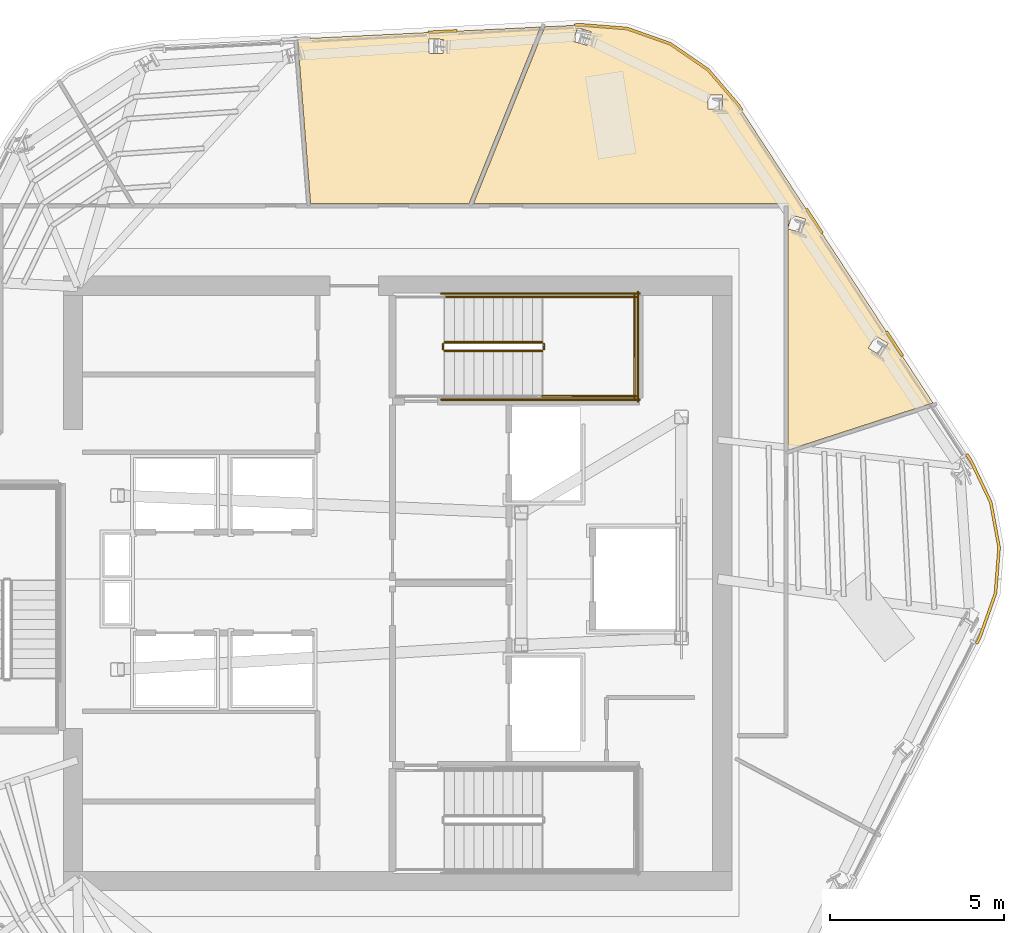
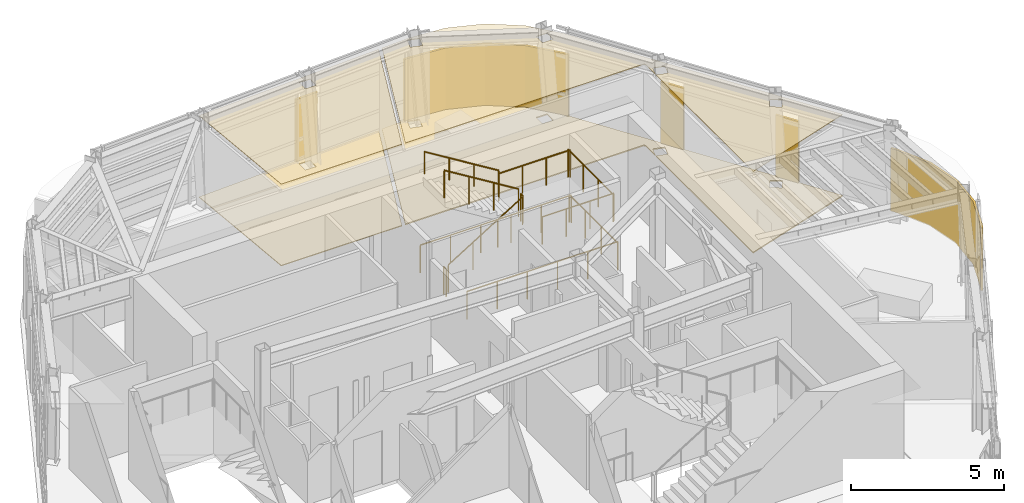
# One storey, part 12 of 13: 11 railings, 9 coverings.
"""IFC4 building model written with IfcOpenShell, lengths in metres."""

from ifc_helpers import new_model, si_unit, direction, frame, origin, origin_2d, place, context, subcontext, project, spatial, polyline, circle, outline, extrude, material, layer, layer_set, type_object, element, save


model = new_model("IFC4")

# Units and contexts
model_context = context("Model", 3, precision=1e-05, world=origin(), true_north=direction((0.0, 1.0)))
body_context = subcontext(model_context, "Body", "Model", "MODEL_VIEW")
ifc_project = project(units=[si_unit("LENGTHUNIT", "METRE"), si_unit("AREAUNIT", "SQUARE_METRE"), si_unit("VOLUMEUNIT", "CUBIC_METRE"), si_unit("PLANEANGLEUNIT", "RADIAN"), si_unit("MASSUNIT", "GRAM", prefix="KILO")], contexts=[model_context])

# Site, building, storey
site_placement = place(None, origin())
site = spatial("IfcSite", under=ifc_project, at=site_placement, CompositionType="ELEMENT")
building_placement = place(site_placement, origin())
building = spatial("IfcBuilding", under=site, at=building_placement, Name="Valkerne Bourse Tower", CompositionType="ELEMENT")
storey_placement = place(building_placement, frame((0.0, 0.0, 296.39990234375)))
storey = spatial("IfcBuildingStorey", under=building, at=storey_placement, Name="L75", CompositionType="ELEMENT", Elevation=296.39990234375)

# Coverings
ifc_material_1 = material(Name="Mineral Fiber Acoustic Ceiling Tile", Category="acoustic")
ifc_layer_1 = layer(ifc_material_1, 0.02490234375)
ifc_layer_set_1 = layer_set([ifc_layer_1], Name="Mineral Fiber Acoustic Ceiling Tile")
covering_type_1 = type_object("IfcCoveringType", Name="COV-CEIL-ACT", PredefinedType="CEILING", material=ifc_layer_set_1)
covering_1_placement = place(storey_placement, frame((0.0, 0.0, 3.25)))
element("IfcCovering", 1, at=covering_1_placement, inside=storey, type_object=covering_type_1, Name="L75 Suspended Ceiling 04", PredefinedType="CEILING", context=body_context, shape_type="SweptSolid", body=[
    extrude(outline(polyline([(44.296630859375, 37.7890625), (43.9248046875, 42.515380859375), (50.89892578125, 42.85791015625), (48.85107421875, 37.7890625), (44.296630859375, 37.7890625)]), holes=[polyline([(48.10791015625, 42.503662109375), (47.7021484375, 42.513916015625), (47.69189453125, 42.104736328125), (47.694091796875, 42.1044921875), (48.099853515625, 42.094482421875), (48.110107421875, 42.503662109375), (48.10791015625, 42.503662109375)])]), origin(), (0.0, 0.0, 1.0), 0.025146484375),
])
covering_2_placement = place(storey_placement, frame((0.0, 0.0, 3.25)))
element("IfcCovering", 2, at=covering_2_placement, inside=storey, type_object=covering_type_1, Name="L75 Suspended Ceiling 06", PredefinedType="CEILING", context=body_context, shape_type="SweptSolid", body=[
    extrude(outline(polyline([(54.631591796875, 42.3701171875), (55.718994140625, 41.622802734375), (56.582275390625, 40.61181640625), (62.17724609375, 32.058349609375), (58.01904296875, 30.707275390625), (58.01904296875, 37.05615234375), (58.4052734375, 36.9482421875), (58.515380859375, 37.339599609375), (58.513916015625, 37.34130859375), (58.1201171875, 37.451171875), (58.01904296875, 37.09130859375), (58.01904296875, 37.720703125), (58.009033203125, 37.756103515625), (57.979248046875, 37.78271484375), (57.950439453125, 37.7890625), (48.978271484375, 37.7890625), (51.02880859375, 42.8642578125), (52.0625, 42.914794921875), (53.3876953125, 42.810546875), (54.631591796875, 42.3701171875)]), holes=[polyline([(60.884521484375, 33.7666015625), (60.53564453125, 33.9794921875), (60.3232421875, 33.6328125), (60.32421875, 33.630615234375), (60.673095703125, 33.417724609375), (60.885498046875, 33.764404296875), (60.884521484375, 33.7666015625)]), polyline([(56.128173828125, 40.901611328125), (55.719482421875, 40.907958984375), (55.71240234375, 40.50146484375), (55.71435546875, 40.5), (56.122802734375, 40.49365234375), (56.130126953125, 40.900146484375), (56.128173828125, 40.901611328125)]), polyline([(52.356689453125, 42.72119140625), (52.3544921875, 42.72216796875), (51.964599609375, 42.834716796875), (51.850830078125, 42.441650390625), (51.85302734375, 42.44091796875), (52.242919921875, 42.328125), (52.356689453125, 42.72119140625)])]), origin(), (0.0, 0.0, 1.0), 0.025146484375),
])
ifc_material_2 = material(Name="Bronze Anodised Aluminium AA 6063-T6", Category="aluminium")
ifc_layer_2 = layer(ifc_material_2, 0.06005859375)
ifc_layer_set_2 = layer_set([ifc_layer_2], Name="Bronze Anodised Aluminium AA 6063-T6")
covering_type_2 = type_object("IfcCoveringType", Name="COV-CRN-ALUM", PredefinedType="CLADDING", material=ifc_layer_set_2)
covering_3_placement = place(storey_placement, origin())
element("IfcCovering", 3, at=covering_3_placement, inside=storey, type_object=covering_type_2, Name="L75 Wind-Shaped Corner Aluminium Cladding 01", PredefinedType="CLADDING", context=body_context, shape_type="SweptSolid", body=[
    extrude(outline(polyline([(63.875, 29.21630859375), (64.11767578125, 27.90771484375), (64.01318359375, 26.58056640625), (63.566650390625, 25.319580078125), (63.467529296875, 25.126953125), (63.396484375, 25.1630859375), (63.4931640625, 25.3515625), (63.93408203125, 26.597412109375), (64.037109375, 27.9033203125), (63.79833984375, 29.19140625), (63.229248046875, 30.384521484375), (63.113525390625, 30.5615234375), (63.1806640625, 30.60498046875), (63.29931640625, 30.423583984375), (63.875, 29.21630859375)])), origin(), (0.0, 0.0, 1.0), 2.5),
])
covering_4_placement = place(storey_placement, origin())
element("IfcCovering", 4, at=covering_4_placement, inside=storey, type_object=covering_type_2, Name="L75 Wind-Shaped Corner Aluminium Cladding 15", PredefinedType="CLADDING", context=body_context, shape_type="SweptSolid", body=[
    extrude(outline(polyline([(48.502197265625, 42.7841796875), (48.50634765625, 42.704345703125), (47.66748046875, 42.6630859375), (47.663330078125, 42.742919921875), (48.502197265625, 42.7841796875)])), origin(), (0.0, 0.0, 1.0), 2.5),
])
covering_5_placement = place(storey_placement, origin())
element("IfcCovering", 5, at=covering_5_placement, inside=storey, type_object=covering_type_2, Name="L75 Wind-Shaped Corner Aluminium Cladding 16", PredefinedType="CLADDING", context=body_context, shape_type="SweptSolid", body=[
    extrude(outline(polyline([(52.06298828125, 42.958984375), (53.396728515625, 42.85400390625), (54.651611328125, 42.40966796875), (55.74853515625, 41.65576171875), (56.61767578125, 40.63818359375), (56.723388671875, 40.476806640625), (56.65625, 40.43310546875), (56.553466796875, 40.590087890625), (55.694580078125, 41.595703125), (54.614990234375, 42.337890625), (53.380126953125, 42.775146484375), (52.061767578125, 42.87890625), (51.87451171875, 42.86962890625), (51.8701171875, 42.949462890625), (52.06298828125, 42.958984375)])), origin(), (0.0, 0.0, 1.0), 2.5),
])
covering_6_placement = place(storey_placement, origin())
element("IfcCovering", 6, at=covering_6_placement, inside=storey, type_object=covering_type_2, Name="L75 Wind-Shaped Corner Aluminium Cladding 17", PredefinedType="CLADDING", context=body_context, shape_type="SweptSolid", body=[
    extrude(outline(polyline([(59.029052734375, 36.951904296875), (58.9619140625, 36.908203125), (58.501953125, 37.611328125), (58.569091796875, 37.65478515625), (59.029052734375, 36.951904296875)])), origin(), (0.0, 0.0, 1.0), 2.5),
])
covering_7_placement = place(storey_placement, origin())
element("IfcCovering", 7, at=covering_7_placement, inside=storey, type_object=covering_type_2, Name="L75 Wind-Shaped Corner Aluminium Cladding 18", PredefinedType="CLADDING", context=body_context, shape_type="SweptSolid", body=[
    extrude(outline(polyline([(61.334716796875, 33.427001953125), (61.267578125, 33.38330078125), (60.807861328125, 34.08642578125), (60.875, 34.1298828125), (61.334716796875, 33.427001953125)])), origin(), (0.0, 0.0, 1.0), 2.5),
])
ifc_material_3 = material(Name="Galvanised Painted Steel", Category="steel")
ifc_layer_3 = layer(ifc_material_3, 0.044921875)
ifc_layer_set_3 = layer_set([ifc_layer_3], Name="Galvanised Painted Steel")
covering_type_3 = type_object("IfcCoveringType", Name="COV-FLR-RAF", PredefinedType="FLOORING", material=ifc_layer_set_3)
covering_8_placement = place(storey_placement, origin())
element("IfcCovering", 8, at=covering_8_placement, inside=storey, type_object=covering_type_3, Name="L75 Floor Finish 06", PredefinedType="FLOORING", context=body_context, shape_type="SweptSolid", body=[
    extrude(outline(polyline([(54.631591796875, 42.3701171875), (55.718994140625, 41.622802734375), (56.582275390625, 40.61181640625), (62.17724609375, 32.058349609375), (58.01904296875, 30.707275390625), (58.01904296875, 37.05615234375), (58.4052734375, 36.9482421875), (58.515380859375, 37.339599609375), (58.513916015625, 37.34130859375), (58.1201171875, 37.451171875), (58.01904296875, 37.09130859375), (58.01904296875, 37.720703125), (58.009033203125, 37.756103515625), (57.979248046875, 37.78271484375), (57.950439453125, 37.7890625), (48.978271484375, 37.7890625), (51.02880859375, 42.8642578125), (52.0625, 42.914794921875), (53.3876953125, 42.810546875), (54.631591796875, 42.3701171875)]), holes=[polyline([(60.884521484375, 33.7666015625), (60.53564453125, 33.9794921875), (60.3232421875, 33.6328125), (60.32421875, 33.630615234375), (60.673095703125, 33.417724609375), (60.885498046875, 33.764404296875), (60.884521484375, 33.7666015625)]), polyline([(56.128173828125, 40.901611328125), (55.719482421875, 40.907958984375), (55.71240234375, 40.50146484375), (55.71435546875, 40.5), (56.122802734375, 40.49365234375), (56.130126953125, 40.900146484375), (56.128173828125, 40.901611328125)]), polyline([(52.356689453125, 42.72119140625), (52.3544921875, 42.72216796875), (51.964599609375, 42.834716796875), (51.850830078125, 42.441650390625), (51.85302734375, 42.44091796875), (52.242919921875, 42.328125), (52.356689453125, 42.72119140625)])]), origin(), (0.0, 0.0, 1.0), 0.045166015625),
])
ifc_material_4 = material(Name="Polished Granite Stone", Category="masonry")
ifc_layer_4 = layer(ifc_material_4, 0.030029296875)
ifc_layer_set_4 = layer_set([ifc_layer_4], Name="Polished Granite Stone")
covering_type_4 = type_object("IfcCoveringType", Name="COV-FLR-TERRAZZO", PredefinedType="FLOORING", material=ifc_layer_set_4)
covering_9_placement = place(storey_placement, origin())
element("IfcCovering", 9, at=covering_9_placement, inside=storey, type_object=covering_type_4, Name="L75 Floor Finish 04", PredefinedType="FLOORING", context=body_context, shape_type="SweptSolid", body=[
    extrude(outline(polyline([(44.296630859375, 37.7890625), (43.9248046875, 42.515380859375), (50.89892578125, 42.85791015625), (48.85107421875, 37.7890625), (44.296630859375, 37.7890625)]), holes=[polyline([(48.10791015625, 42.503662109375), (47.7021484375, 42.513916015625), (47.69189453125, 42.104736328125), (47.694091796875, 42.1044921875), (48.099853515625, 42.094482421875), (48.110107421875, 42.503662109375), (48.10791015625, 42.503662109375)])]), origin(), (0.0, 0.0, 1.0), 0.030029296875),
])

# Railings
railing_type_1 = type_object("IfcRailingType", Name="RLG-ST-GUARD-1120", PredefinedType="GUARDRAIL", material=ifc_material_3)
railing_1_placement = place(storey_placement, frame((48.14990234375, 33.550048828125, 0.1728515625)))
element("IfcRailing", 10, at=railing_1_placement, inside=storey, type_object=railing_type_1, Name="L75 ST-2 stair guard 1", PredefinedType="GUARDRAIL", context=body_context, shape_type="SweptSolid", body=[
    extrude(circle(Radius=0.02392578125, at=origin_2d()), frame((0.0, 0.0, 1.09619140625), z_axis=(0.851089632645, 0.0, 0.525020415988), x_axis=(0.0, 1.0, 0.0)), (0.0, 0.0, 1.0), 3.2900390625),
    extrude(circle(Radius=0.02099609375, at=origin_2d()), origin(), (0.0, 0.0, 1.0), 1.072021484375),
    extrude(circle(Radius=0.02099609375, at=origin_2d()), frame((0.933349609375, 0.0, 0.57568359375)), (0.0, 0.0, 1.0), 1.072021484375),
    extrude(circle(Radius=0.02099609375, at=origin_2d()), frame((1.86669921875, 0.0, 1.151611328125)), (0.0, 0.0, 1.0), 1.072021484375),
    extrude(circle(Radius=0.02099609375, at=origin_2d()), frame((2.800048828125, 0.0, 1.727294921875)), (0.0, 0.0, 1.0), 1.072021484375),
])
railing_2_placement = place(storey_placement, frame((51.0, 33.60009765625, 1.900146484375)))
element("IfcRailing", 11, at=railing_2_placement, inside=storey, type_object=railing_type_1, Name="L75 ST-2 stair guard 2", PredefinedType="GUARDRAIL", context=body_context, shape_type="SweptSolid", body=[
    extrude(circle(Radius=0.02392578125, at=origin_2d()), frame((0.0, 0.0, 1.09619140625), z_axis=(0.0, 1.0, 0.0), x_axis=(-1.0, 0.0, 0.0)), (0.0, 0.0, 1.0), 0.14990234375),
    extrude(circle(Radius=0.02099609375, at=origin_2d()), origin(), (0.0, 0.0, 1.0), 1.072021484375),
    extrude(circle(Radius=0.02099609375, at=origin_2d()), frame((0.0, 0.14990234375, 0.0)), (0.0, 0.0, 1.0), 1.072021484375),
])
for number, where, name in (
    (12, (50.949951171875, 32.25, 1.900146484375), "L75 ST-2 stair guard 3"),
    (13, (50.949951171875, 35.10009765625, 1.900146484375), "L75 ST-2 stair guard 4"),
):
    element("IfcRailing", number, at=place(storey_placement, frame(where)), inside=storey, type_object=railing_type_1, Name=name, PredefinedType="GUARDRAIL", context=body_context, shape_type="SweptSolid", body=[
        extrude(circle(Radius=0.02392578125, at=origin_2d()), frame((0.0, 0.0, 1.09619140625), z_axis=(1.0, 0.0, 0.0), x_axis=(0.0, 1.0, 0.0)), (0.0, 0.0, 1.0), 2.699951171875),
        extrude(circle(Radius=0.02099609375, at=origin_2d()), origin(), (0.0, 0.0, 1.0), 1.072021484375),
        extrude(circle(Radius=0.02099609375, at=origin_2d()), frame((0.89990234375, 0.0, 0.0)), (0.0, 0.0, 1.0), 1.072021484375),
        extrude(circle(Radius=0.02099609375, at=origin_2d()), frame((1.800048828125, 0.0, 0.0)), (0.0, 0.0, 1.0), 1.072021484375),
        extrude(circle(Radius=0.02099609375, at=origin_2d()), frame((2.699951171875, 0.0, 0.0)), (0.0, 0.0, 1.0), 1.072021484375),
    ])
railing_3_placement = place(storey_placement, frame((53.60009765625, 32.199951171875, 1.900146484375)))
element("IfcRailing", 14, at=railing_3_placement, inside=storey, type_object=railing_type_1, Name="L75 ST-2 stair guard 5", PredefinedType="GUARDRAIL", context=body_context, shape_type="SweptSolid", body=[
    extrude(circle(Radius=0.02392578125, at=origin_2d()), frame((0.0, 0.0, 1.09619140625), z_axis=(0.0, 1.0, 0.0), x_axis=(-1.0, 0.0, 0.0)), (0.0, 0.0, 1.0), 2.949951171875),
    extrude(circle(Radius=0.02099609375, at=origin_2d()), origin(), (0.0, 0.0, 1.0), 1.072021484375),
    extrude(circle(Radius=0.02099609375, at=origin_2d()), frame((0.0, 0.9833984375, 0.0)), (0.0, 0.0, 1.0), 1.072021484375),
    extrude(circle(Radius=0.02099609375, at=origin_2d()), frame((0.0, 1.966552734375, 0.0)), (0.0, 0.0, 1.0), 1.072021484375),
    extrude(circle(Radius=0.02099609375, at=origin_2d()), frame((0.0, 2.949951171875, 0.0)), (0.0, 0.0, 1.0), 1.072021484375),
])
railing_4_placement = place(storey_placement, frame((50.949951171875, 33.800048828125, 2.07275390625)))
element("IfcRailing", 15, at=railing_4_placement, inside=storey, type_object=railing_type_1, Name="L75 ST-2 stair guard 6", PredefinedType="GUARDRAIL", context=body_context, shape_type="SweptSolid", body=[
    extrude(circle(Radius=0.02392578125, at=origin_2d()), frame((0.0, 0.0, 1.09619140625), z_axis=(-0.851089632645, 0.0, 0.525020415988), x_axis=(0.0, -1.0, 0.0)), (0.0, 0.0, 1.0), 3.2900390625),
    extrude(circle(Radius=0.02099609375, at=origin_2d()), origin(), (0.0, 0.0, 1.0), 1.072021484375),
    extrude(circle(Radius=0.02099609375, at=origin_2d()), frame((-0.933349609375, 0.0, 0.57568359375)), (0.0, 0.0, 1.0), 1.072021484375),
    extrude(circle(Radius=0.02099609375, at=origin_2d()), frame((-1.86669921875, 0.0, 1.151611328125)), (0.0, 0.0, 1.0), 1.072021484375),
    extrude(circle(Radius=0.02099609375, at=origin_2d()), frame((-2.800048828125, 0.0, 1.727294921875)), (0.0, 0.0, 1.0), 1.072021484375),
])
railing_5_placement = place(storey_placement, frame((48.10009765625, 33.60009765625, 0.0)))
element("IfcRailing", 16, at=railing_5_placement, inside=storey, type_object=railing_type_1, Name="L75 ST-2 stair guard 7", PredefinedType="GUARDRAIL", context=body_context, shape_type="SweptSolid", body=[
    extrude(circle(Radius=0.02392578125, at=origin_2d()), frame((0.0, 0.0, 1.09619140625), z_axis=(0.0, 1.0, 0.0), x_axis=(-1.0, 0.0, 0.0)), (0.0, 0.0, 1.0), 0.14990234375),
    extrude(circle(Radius=0.02099609375, at=origin_2d()), origin(), (0.0, 0.0, 1.0), 1.072021484375),
    extrude(circle(Radius=0.02099609375, at=origin_2d()), frame((0.0, 0.14990234375, 0.0)), (0.0, 0.0, 1.0), 1.072021484375),
])
for number, where, name in (
    (17, (48.050048828125, 32.14990234375, 0.0), "L75 ST-2 stair guard 10"),
    (18, (48.050048828125, 35.199951171875, 0.0), "L75 ST-2 stair guard 11"),
):
    element("IfcRailing", number, at=place(storey_placement, frame(where)), inside=storey, type_object=railing_type_1, Name=name, PredefinedType="GUARDRAIL", context=body_context, shape_type="SweptSolid", body=[
        extrude(circle(Radius=0.02392578125, at=origin_2d()), frame((0.0, 0.0, 1.09619140625), z_axis=(1.0, 0.0, 0.0), x_axis=(0.0, 1.0, 0.0)), (0.0, 0.0, 1.0), 5.699951171875),
        extrude(circle(Radius=0.02099609375, at=origin_2d()), origin(), (0.0, 0.0, 1.0), 1.072021484375),
        extrude(circle(Radius=0.02099609375, at=origin_2d()), frame((1.139892578125, 0.0, 0.0)), (0.0, 0.0, 1.0), 1.072021484375),
        extrude(circle(Radius=0.02099609375, at=origin_2d()), frame((2.280029296875, 0.0, 0.0)), (0.0, 0.0, 1.0), 1.072021484375),
        extrude(circle(Radius=0.02099609375, at=origin_2d()), frame((3.419921875, 0.0, 0.0)), (0.0, 0.0, 1.0), 1.072021484375),
        extrude(circle(Radius=0.02099609375, at=origin_2d()), frame((4.56005859375, 0.0, 0.0)), (0.0, 0.0, 1.0), 1.072021484375),
        extrude(circle(Radius=0.02099609375, at=origin_2d()), frame((5.699951171875, 0.0, 0.0)), (0.0, 0.0, 1.0), 1.072021484375),
    ])
railing_6_placement = place(storey_placement, frame((53.699951171875, 32.10009765625, 0.0)))
element("IfcRailing", 19, at=railing_6_placement, inside=storey, type_object=railing_type_1, Name="L75 ST-2 stair guard 12", PredefinedType="GUARDRAIL", context=body_context, shape_type="SweptSolid", body=[
    extrude(circle(Radius=0.02392578125, at=origin_2d()), frame((0.0, 0.0, 1.09619140625), z_axis=(0.0, 1.0, 0.0), x_axis=(-1.0, 0.0, 0.0)), (0.0, 0.0, 1.0), 3.14990234375),
    extrude(circle(Radius=0.02099609375, at=origin_2d()), origin(), (0.0, 0.0, 1.0), 1.072021484375),
    extrude(circle(Radius=0.02099609375, at=origin_2d()), frame((0.0, 1.050048828125, 0.0)), (0.0, 0.0, 1.0), 1.072021484375),
    extrude(circle(Radius=0.02099609375, at=origin_2d()), frame((0.0, 2.099853515625, 0.0)), (0.0, 0.0, 1.0), 1.072021484375),
    extrude(circle(Radius=0.02099609375, at=origin_2d()), frame((0.0, 3.14990234375, 0.0)), (0.0, 0.0, 1.0), 1.072021484375),
])
ifc_material_5 = material(Name="Stainless Steel AISI 316", Category="steel")
railing_type_2 = type_object("IfcRailingType", Name="RLG-ST-HANDRAIL-900", PredefinedType="HANDRAIL", material=ifc_material_5)
railing_7_placement = place(storey_placement, frame((50.949951171875, 35.10009765625, 2.24560546875)))
element("IfcRailing", 20, at=railing_7_placement, inside=storey, type_object=railing_type_2, Name="L75 ST-2 stair handrail 2", PredefinedType="HANDRAIL", context=body_context, shape_type="SweptSolid", body=[
    extrude(circle(Radius=0.02392578125, at=origin_2d()), frame((0.0, 0.0, 0.8759765625), z_axis=(-0.851089632645, 0.0, 0.525020415988), x_axis=(0.0, -1.0, 0.0)), (0.0, 0.0, 1.0), 3.2900390625),
    extrude(circle(Radius=0.02099609375, at=origin_2d()), origin(), (0.0, 0.0, 1.0), 0.851806640625),
    extrude(circle(Radius=0.02099609375, at=origin_2d()), frame((-0.933349609375, 0.0, 0.57568359375)), (0.0, 0.0, 1.0), 0.851806640625),
    extrude(circle(Radius=0.02099609375, at=origin_2d()), frame((-1.86669921875, 0.0, 1.151611328125)), (0.0, 0.0, 1.0), 0.851806640625),
    extrude(circle(Radius=0.02099609375, at=origin_2d()), frame((-2.800048828125, 0.0, 1.727294921875)), (0.0, 0.0, 1.0), 0.851806640625),
])

save(model, "model.ifc")
